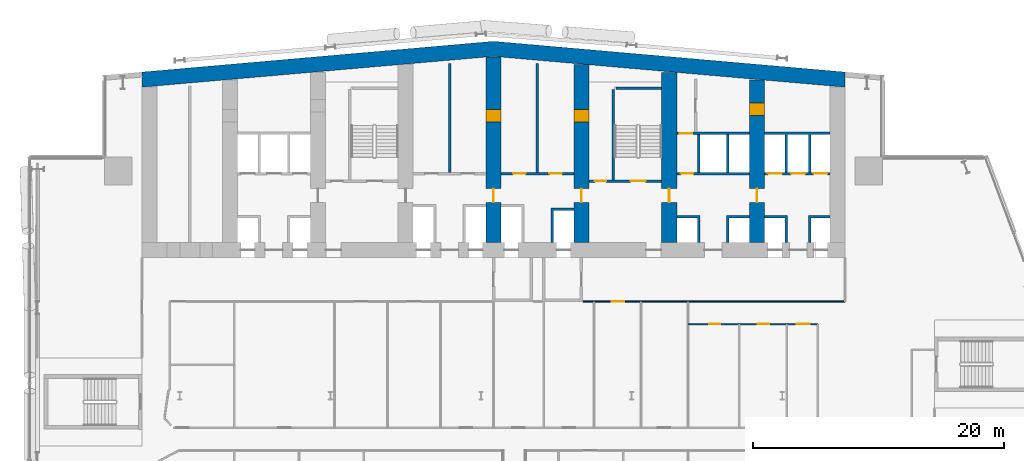
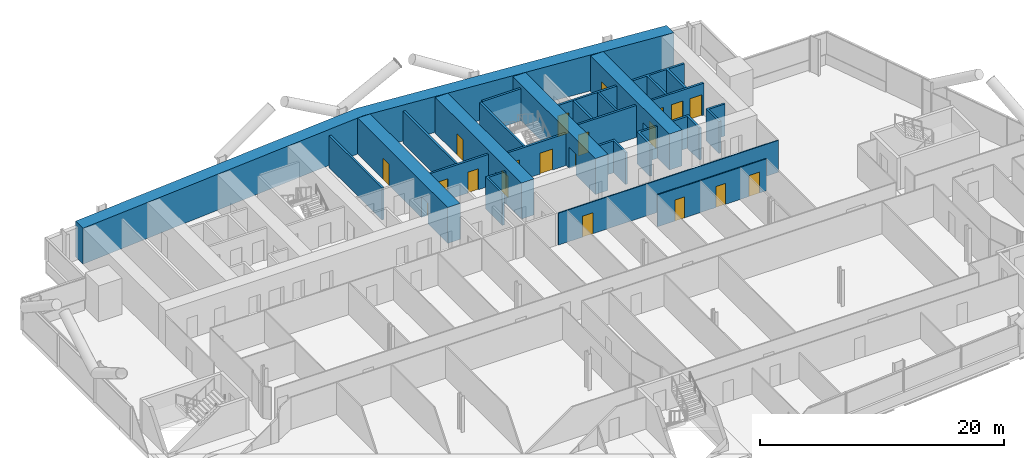
# One storey, part 18 of 28: 24 walls, 20 doors, 20 openings.
"""IFC4 building model written with IfcOpenShell, lengths in metres."""

from ifc_helpers import new_model, si_unit, direction, frame, frame_2d, origin, place, context, subcontext, project, spatial, polyline, rectangle, outline, extrude, material, layer, layer_set, type_object, element, fill, save


model = new_model("IFC4")

# Units and contexts
model_context = context("Model", 3, precision=1e-05, world=origin(), true_north=direction((0.0, 1.0)))
body_context = subcontext(model_context, "Body", "Model", "MODEL_VIEW")
ifc_project = project(units=[si_unit("LENGTHUNIT", "METRE"), si_unit("AREAUNIT", "SQUARE_METRE"), si_unit("VOLUMEUNIT", "CUBIC_METRE"), si_unit("PLANEANGLEUNIT", "RADIAN"), si_unit("MASSUNIT", "GRAM", prefix="KILO")], contexts=[model_context])

# Site, building, storey
site_placement = place(None, origin())
site = spatial("IfcSite", under=ifc_project, at=site_placement, CompositionType="ELEMENT")
building_placement = place(site_placement, origin())
building = spatial("IfcBuilding", under=site, at=building_placement, Name="Wharfspan Tower", CompositionType="ELEMENT")
storey_placement = place(building_placement, frame((0.0, 0.0, 59.5)))
storey = spatial("IfcBuildingStorey", under=building, at=storey_placement, Name="L11", CompositionType="ELEMENT", Elevation=59.5)

# Wall, opening, door
ifc_material_1 = material(Name="Gypsum board on steel studs", Category="steel")
ifc_layer_1 = layer(ifc_material_1, 0.100098)
ifc_layer_set_1 = layer_set([ifc_layer_1], Name="Gypsum board on steel studs")
wall_type_1 = type_object("IfcWallType", Name="Compartment wall 100 EI 60", PredefinedType="PARTITIONING", material=ifc_layer_set_1)
wall_1_placement = place(storey_placement, frame((44.149902, 30.5, 0.0), z_axis=(0.0, 0.0, 1.0), x_axis=(1.0, 0.0, 0.0)))
wall_1 = element("IfcWall", 1, at=wall_1_placement, inside=storey, type_object=wall_type_1, Name="Partition L11.w015 (3)", PredefinedType="PARTITIONING", context=body_context, shape_type="SweptSolid", body=[
    extrude(rectangle(XDim=20.850098, YDim=0.100098, at=frame_2d((10.425049, 0.0))), origin(), (0.0, 0.0, 1.0), 3.199951),
])
opening_1_placement = place(wall_1_placement, frame((2.27002, 0.0, 0.0)))
opening_1 = element("IfcOpeningElement", 2, at=opening_1_placement, cuts=wall_1, Name="Opening A2-39", PredefinedType="OPENING", context=body_context, shape_type="SweptSolid", body=[
    extrude(rectangle(XDim=1.0, YDim=2.100098, at=frame_2d((0.5, 1.050049))), frame((0.0, 0.060059, 0.0), z_axis=(0.0, -1.0, 0.0), x_axis=(1.0, 0.0, 0.0)), (0.0, 0.0, 1.0), 0.120117),
])
ifc_material_2 = material(Name="Fire-rated timber door leaf in steel frame", Category="steel")
door_type_1 = type_object("IfcDoorType", Name="Door 1000 FD30S Right", OperationType="SINGLE_SWING_RIGHT", PredefinedType="DOOR", material=ifc_material_2)
door_1_placement = place(opening_1_placement, origin())
door_1 = element("IfcDoor", 3, at=door_1_placement, inside=storey, type_object=door_type_1, Name="Door A2-39", OperationType="SINGLE_SWING_RIGHT", OverallHeight=2.100098, OverallWidth=1.0, PredefinedType="DOOR", context=body_context, shape_type="SweptSolid", body=[
    extrude(rectangle(XDim=1.0, YDim=2.100098, at=frame_2d((0.5, 1.050049))), frame((0.0, 0.024902, 0.0), z_axis=(0.0, -1.0, 0.0), x_axis=(1.0, 0.0, 0.0)), (0.0, 0.0, 1.0), 0.050049),
])
fill(opening_1, door_1)

# Walls
ifc_material_3 = material(Name="Calcium silicate masonry", Category="masonry")
ifc_layer_2 = layer(ifc_material_3, 0.199951)
ifc_layer_set_2 = layer_set([ifc_layer_2], Name="Calcium silicate masonry")
wall_type_2 = type_object("IfcWallType", Name="Core room wall 200", PredefinedType="PARTITIONING", material=ifc_layer_set_2)
for number, where, z_axis, x_axis, name in (
    (4, (33.5, 40.800049, 0.0), (0.0, 0.0, 1.0), (0.0, 1.0, 0.0), "sw:L11:RP3.1"),
    (5, (40.5, 40.800049, 0.0), (0.0, 0.0, 1.0), (0.0, 1.0, 0.0), "sw:L11:RP4.1"),
):
    element("IfcWall", number, at=place(storey_placement, frame(where, z_axis=z_axis, x_axis=x_axis)), inside=storey, type_object=wall_type_2, Name=name, PredefinedType="PARTITIONING", context=body_context, shape_type="SweptSolid", body=[
        extrude(rectangle(XDim=8.652588, YDim=0.199951, at=frame_2d((4.326172, 0.0))), origin(), (0.0, 0.0, 1.0), 3.199951),
    ])
ifc_material_4 = material(Name="Concrete C70/85", Category="concrete")
ifc_layer_3 = layer(ifc_material_4, 1.199951)
ifc_layer_set_3 = layer_set([ifc_layer_3], Name="Concrete C70/85")
wall_type_3 = type_object("IfcWallType", Name="Core wall 1200 C70/85", PredefinedType="SHEAR", material=ifc_layer_set_3)
wall_2_placement = place(storey_placement, origin())
element("IfcWall", 6, at=wall_2_placement, inside=storey, type_object=wall_type_3, Name="Core rear wall L11", PredefinedType="SHEAR", context=body_context, shape_type="SweptSolid", body=[
    extrude(outline(polyline([(9.0, 47.582764), (37.0, 50.032471), (65.0, 47.582764), (65.0, 48.787354), (37.0, 51.237061), (9.0, 48.787354), (9.0, 47.582764)])), origin(), (0.0, 0.0, 1.0), 3.600098),
])

# Wall, openings, doors
wall_3_placement = place(storey_placement, frame((37.0, 35.199951, 0.0), z_axis=(0.0, 0.0, 1.0), x_axis=(0.0, 1.0, 0.0)))
wall_3 = element("IfcWall", 7, at=wall_3_placement, inside=storey, type_object=wall_type_3, Name="Core cross wall X4 L11", PredefinedType="SHEAR", context=body_context, shape_type="SweptSolid", body=[
    extrude(rectangle(XDim=14.780029, YDim=1.199951, at=frame_2d((7.390137, 0.0))), origin(), (0.0, 0.0, 1.0), 3.600098),
])
opening_2_placement = place(wall_3_placement, frame((3.199951, 0.0, 0.0)))
opening_2 = element("IfcOpeningElement", 8, at=opening_2_placement, cuts=wall_3, Name="Opening CC11.4", PredefinedType="OPENING", context=body_context, shape_type="SweptSolid", body=[
    extrude(rectangle(XDim=1.100098, YDim=2.100098, at=frame_2d((0.550049, 1.050049))), frame((0.0, 0.609863, 0.0), z_axis=(0.0, -1.0, 0.0), x_axis=(1.0, 0.0, 0.0)), (0.0, 0.0, 1.0), 1.219971),
])
opening_3_placement = place(wall_3_placement, frame((9.600098, 0.0, 0.0)))
opening_3 = element("IfcOpeningElement", 9, at=opening_3_placement, cuts=wall_3, Name="Opening CR11.4", PredefinedType="OPENING", context=body_context, shape_type="SweptSolid", body=[
    extrude(rectangle(XDim=1.0, YDim=2.100098, at=frame_2d((0.5, 1.050049))), frame((0.0, 0.609863, 0.0), z_axis=(0.0, -1.0, 0.0), x_axis=(1.0, 0.0, 0.0)), (0.0, 0.0, 1.0), 1.219971),
])
ifc_material_5 = material(Name="Steel door leaf", Category="steel")
door_type_2 = type_object("IfcDoorType", Name="Core corridor door 1100x2100", OperationType="SINGLE_SWING_LEFT", PredefinedType="DOOR", material=ifc_material_5)
door_2_placement = place(opening_2_placement, origin())
door_2 = element("IfcDoor", 10, at=door_2_placement, inside=storey, type_object=door_type_2, Name="xd:L11:4", OperationType="SINGLE_SWING_RIGHT", OverallHeight=2.100098, OverallWidth=1.100098, PredefinedType="DOOR", context=body_context, shape_type="SweptSolid", body=[
    extrude(rectangle(XDim=1.100098, YDim=2.100098, at=frame_2d((0.550049, 1.050049))), frame((0.0, 0.024902, 0.0), z_axis=(0.0, -1.0, 0.0), x_axis=(1.0, 0.0, 0.0)), (0.0, 0.0, 1.0), 0.050049),
])
fill(opening_2, door_2)
door_type_3 = type_object("IfcDoorType", Name="Core room door 1000x2100", OperationType="SINGLE_SWING_LEFT", PredefinedType="DOOR", material=ifc_material_5)
door_3_placement = place(opening_3_placement, origin())
door_3 = element("IfcDoor", 11, at=door_3_placement, inside=storey, type_object=door_type_3, Name="xr:L11:4", OperationType="SINGLE_SWING_RIGHT", OverallHeight=2.100098, OverallWidth=1.0, PredefinedType="DOOR", context=body_context, shape_type="SweptSolid", body=[
    extrude(rectangle(XDim=1.0, YDim=2.100098, at=frame_2d((0.5, 1.050049))), frame((0.0, 0.599609, 0.0), z_axis=(0.0, -1.0, 0.0), x_axis=(1.0, 0.0, 0.0)), (0.0, 0.0, 1.0), 1.199463),
])
fill(opening_3, door_3)

wall_4_placement = place(storey_placement, frame((44.0, 35.199951, 0.0), z_axis=(0.0, 0.0, 1.0), x_axis=(0.0, 1.0, 0.0)))
wall_4 = element("IfcWall", 12, at=wall_4_placement, inside=storey, type_object=wall_type_3, Name="Core cross wall X5 L11", PredefinedType="SHEAR", context=body_context, shape_type="SweptSolid", body=[
    extrude(rectangle(XDim=14.167725, YDim=1.199951, at=frame_2d((7.083984, 0.0))), origin(), (0.0, 0.0, 1.0), 3.600098),
])
opening_4_placement = place(wall_4_placement, frame((3.199951, 0.0, 0.0)))
opening_4 = element("IfcOpeningElement", 13, at=opening_4_placement, cuts=wall_4, Name="Opening CC11.5", PredefinedType="OPENING", context=body_context, shape_type="SweptSolid", body=[
    extrude(rectangle(XDim=1.100098, YDim=2.100098, at=frame_2d((0.550049, 1.050049))), frame((0.0, 0.609863, 0.0), z_axis=(0.0, -1.0, 0.0), x_axis=(1.0, 0.0, 0.0)), (0.0, 0.0, 1.0), 1.219971),
])
opening_5_placement = place(wall_4_placement, frame((9.600098, 0.0, 0.0)))
opening_5 = element("IfcOpeningElement", 14, at=opening_5_placement, cuts=wall_4, Name="Opening CR11.5", PredefinedType="OPENING", context=body_context, shape_type="SweptSolid", body=[
    extrude(rectangle(XDim=1.0, YDim=2.100098, at=frame_2d((0.5, 1.050049))), frame((0.0, 0.609863, 0.0), z_axis=(0.0, -1.0, 0.0), x_axis=(1.0, 0.0, 0.0)), (0.0, 0.0, 1.0), 1.219971),
])
door_4_placement = place(opening_4_placement, origin())
door_4 = element("IfcDoor", 15, at=door_4_placement, inside=storey, type_object=door_type_2, Name="xd:L11:5", OperationType="SINGLE_SWING_LEFT", OverallHeight=2.100098, OverallWidth=1.100098, PredefinedType="DOOR", context=body_context, shape_type="SweptSolid", body=[
    extrude(rectangle(XDim=1.100098, YDim=2.100098, at=frame_2d((0.550049, 1.050049))), frame((0.0, 0.024902, 0.0), z_axis=(0.0, -1.0, 0.0), x_axis=(1.0, 0.0, 0.0)), (0.0, 0.0, 1.0), 0.050049),
])
fill(opening_4, door_4)
door_5_placement = place(opening_5_placement, origin())
door_5 = element("IfcDoor", 16, at=door_5_placement, inside=storey, type_object=door_type_3, Name="xr:L11:5", OperationType="SINGLE_SWING_RIGHT", OverallHeight=2.100098, OverallWidth=1.0, PredefinedType="DOOR", context=body_context, shape_type="SweptSolid", body=[
    extrude(rectangle(XDim=1.0, YDim=2.100098, at=frame_2d((0.5, 1.050049))), frame((0.0, 0.599609, 0.0), z_axis=(0.0, -1.0, 0.0), x_axis=(1.0, 0.0, 0.0)), (0.0, 0.0, 1.0), 1.199463),
])
fill(opening_5, door_5)

# Wall, opening, door
wall_5_placement = place(storey_placement, frame((51.0, 35.199951, 0.0), z_axis=(0.0, 0.0, 1.0), x_axis=(0.0, 1.0, 0.0)))
wall_5 = element("IfcWall", 17, at=wall_5_placement, inside=storey, type_object=wall_type_3, Name="Core cross wall X6 L11", PredefinedType="SHEAR", context=body_context, shape_type="SweptSolid", body=[
    extrude(rectangle(XDim=13.555176, YDim=1.199951, at=frame_2d((6.777588, 0.0))), origin(), (0.0, 0.0, 1.0), 3.600098),
])
opening_6_placement = place(wall_5_placement, frame((3.199951, 0.0, 0.0)))
opening_6 = element("IfcOpeningElement", 18, at=opening_6_placement, cuts=wall_5, Name="Opening CC11.6", PredefinedType="OPENING", context=body_context, shape_type="SweptSolid", body=[
    extrude(rectangle(XDim=1.100098, YDim=2.100098, at=frame_2d((0.550049, 1.050049))), frame((0.0, 0.609863, 0.0), z_axis=(0.0, -1.0, 0.0), x_axis=(1.0, 0.0, 0.0)), (0.0, 0.0, 1.0), 1.219971),
])
door_6_placement = place(opening_6_placement, origin())
door_6 = element("IfcDoor", 19, at=door_6_placement, inside=storey, type_object=door_type_2, Name="xd:L11:6", OperationType="SINGLE_SWING_RIGHT", OverallHeight=2.100098, OverallWidth=1.100098, PredefinedType="DOOR", context=body_context, shape_type="SweptSolid", body=[
    extrude(rectangle(XDim=1.100098, YDim=2.100098, at=frame_2d((0.550049, 1.050049))), frame((0.0, 0.024902, 0.0), z_axis=(0.0, -1.0, 0.0), x_axis=(1.0, 0.0, 0.0)), (0.0, 0.0, 1.0), 0.050049),
])
fill(opening_6, door_6)

# Wall, openings, doors
wall_6_placement = place(storey_placement, frame((58.0, 35.199951, 0.0), z_axis=(0.0, 0.0, 1.0), x_axis=(0.0, 1.0, 0.0)))
wall_6 = element("IfcWall", 20, at=wall_6_placement, inside=storey, type_object=wall_type_3, Name="Core cross wall X7 L11", PredefinedType="SHEAR", context=body_context, shape_type="SweptSolid", body=[
    extrude(rectangle(XDim=12.942871, YDim=1.199951, at=frame_2d((6.471436, 0.0))), origin(), (0.0, 0.0, 1.0), 3.600098),
])
opening_7_placement = place(wall_6_placement, frame((10.133789, 0.0, 0.0)))
opening_7 = element("IfcOpeningElement", 21, at=opening_7_placement, cuts=wall_6, Name="Opening CD11.7X", PredefinedType="OPENING", context=body_context, shape_type="SweptSolid", body=[
    extrude(rectangle(XDim=1.0, YDim=2.100098, at=frame_2d((0.5, 1.050049))), frame((0.0, 0.609863, 0.0), z_axis=(0.0, -1.0, 0.0), x_axis=(1.0, 0.0, 0.0)), (0.0, 0.0, 1.0), 1.219971),
])
opening_8_placement = place(wall_6_placement, frame((3.199951, 0.0, 0.0)))
opening_8 = element("IfcOpeningElement", 22, at=opening_8_placement, cuts=wall_6, Name="Opening CC11.7", PredefinedType="OPENING", context=body_context, shape_type="SweptSolid", body=[
    extrude(rectangle(XDim=1.100098, YDim=2.100098, at=frame_2d((0.550049, 1.050049))), frame((0.0, 0.609863, 0.0), z_axis=(0.0, -1.0, 0.0), x_axis=(1.0, 0.0, 0.0)), (0.0, 0.0, 1.0), 1.219971),
])
door_7_placement = place(opening_8_placement, origin())
door_7 = element("IfcDoor", 23, at=door_7_placement, inside=storey, type_object=door_type_2, Name="xd:L11:7", OperationType="SINGLE_SWING_LEFT", OverallHeight=2.100098, OverallWidth=1.100098, PredefinedType="DOOR", context=body_context, shape_type="SweptSolid", body=[
    extrude(rectangle(XDim=1.100098, YDim=2.100098, at=frame_2d((0.550049, 1.050049))), frame((0.0, 0.024902, 0.0), z_axis=(0.0, -1.0, 0.0), x_axis=(1.0, 0.0, 0.0)), (0.0, 0.0, 1.0), 0.050049),
])
fill(opening_8, door_7)
door_8_placement = place(opening_7_placement, origin())
door_8 = element("IfcDoor", 24, at=door_8_placement, inside=storey, type_object=door_type_3, Name="d:L11:7:sx", OperationType="SINGLE_SWING_LEFT", OverallHeight=2.100098, OverallWidth=1.0, PredefinedType="DOOR", context=body_context, shape_type="SweptSolid", body=[
    extrude(rectangle(XDim=1.0, YDim=2.100098, at=frame_2d((0.5, 1.050049))), frame((0.0, 0.599609, 0.0), z_axis=(0.0, -1.0, 0.0), x_axis=(1.0, 0.0, 0.0)), (0.0, 0.0, 1.0), 1.199463),
])
fill(opening_7, door_8)

ifc_material_6 = material(Name="Concrete C30/37", Category="concrete")
ifc_layer_4 = layer(ifc_material_6, 0.199951)
ifc_layer_set_4 = layer_set([ifc_layer_4], Name="Concrete C30/37")
wall_type_4 = type_object("IfcWallType", Name="Lift shaft wall 200", PredefinedType="PARTITIONING", material=ifc_layer_set_4)
wall_7_placement = place(storey_placement, frame((37.600098, 40.699951, 0.0), z_axis=(0.0, 0.0, 1.0), x_axis=(1.0, 0.0, 0.0)))
wall_7 = element("IfcWall", 25, at=wall_7_placement, inside=storey, type_object=wall_type_4, Name="sw:L11:RF4", PredefinedType="PARTITIONING", context=body_context, shape_type="SweptSolid", body=[
    extrude(rectangle(XDim=5.799805, YDim=0.199951, at=frame_2d((2.899902, 0.0))), origin(), (0.0, 0.0, 1.0), 3.199951),
])
opening_9_placement = place(wall_7_placement, frame((0.949951, 0.0, 0.0)))
opening_9 = element("IfcOpeningElement", 26, at=opening_9_placement, cuts=wall_7, Name="Opening CD11.4S", PredefinedType="OPENING", context=body_context, shape_type="SweptSolid", body=[
    extrude(rectangle(XDim=1.0, YDim=2.100098, at=frame_2d((0.5, 1.050049))), frame((0.0, 0.109863, 0.0), z_axis=(0.0, -1.0, 0.0), x_axis=(1.0, 0.0, 0.0)), (0.0, 0.0, 1.0), 0.219971),
])
opening_10_placement = place(wall_7_placement, frame((3.850098, 0.0, 0.0)))
opening_10 = element("IfcOpeningElement", 27, at=opening_10_placement, cuts=wall_7, Name="Opening CD11.4Sa", PredefinedType="OPENING", context=body_context, shape_type="SweptSolid", body=[
    extrude(rectangle(XDim=1.0, YDim=2.100098, at=frame_2d((0.5, 1.050049))), frame((0.0, 0.109863, 0.0), z_axis=(0.0, -1.0, 0.0), x_axis=(1.0, 0.0, 0.0)), (0.0, 0.0, 1.0), 0.219971),
])
door_9_placement = place(opening_9_placement, origin())
door_9 = element("IfcDoor", 28, at=door_9_placement, inside=storey, type_object=door_type_3, Name="d:L11:4:sf", OperationType="SINGLE_SWING_LEFT", OverallHeight=2.100098, OverallWidth=1.0, PredefinedType="DOOR", context=body_context, shape_type="SweptSolid", body=[
    extrude(rectangle(XDim=1.0, YDim=2.100098, at=frame_2d((0.5, 1.050049))), frame((0.0, 0.024902, 0.0), z_axis=(0.0, -1.0, 0.0), x_axis=(1.0, 0.0, 0.0)), (0.0, 0.0, 1.0), 0.050049),
])
fill(opening_9, door_9)
door_10_placement = place(opening_10_placement, origin())
door_10 = element("IfcDoor", 29, at=door_10_placement, inside=storey, type_object=door_type_3, Name="d:L11:4:sf1", OperationType="SINGLE_SWING_LEFT", OverallHeight=2.100098, OverallWidth=1.0, PredefinedType="DOOR", context=body_context, shape_type="SweptSolid", body=[
    extrude(rectangle(XDim=1.0, YDim=2.100098, at=frame_2d((0.5, 1.050049))), frame((0.0, 0.024902, 0.0), z_axis=(0.0, -1.0, 0.0), x_axis=(1.0, 0.0, 0.0)), (0.0, 0.0, 1.0), 0.050049),
])
fill(opening_10, door_10)

# Wall
wall_8_placement = place(storey_placement, frame((0.0, 0.0, -0.000244)))
element("IfcWall", 30, at=wall_8_placement, inside=storey, type_object=wall_type_4, Name="sw:L11:FM4.0", PredefinedType="PARTITIONING", context=body_context, shape_type="SweptSolid", body=[
    extrude(outline(polyline([(41.56665, 37.949951), (41.766602, 37.949951), (43.399902, 37.949951), (43.399902, 37.75), (41.766602, 37.75), (41.766602, 35.199951), (41.56665, 35.199951), (41.56665, 37.949951)])), origin(), (0.0, 0.0, 1.0), 3.200195),
])

# Wall, opening, door
wall_9_placement = place(storey_placement, frame((51.600098, 40.699951, 0.0), z_axis=(0.0, 0.0, 1.0), x_axis=(1.0, 0.0, 0.0)))
wall_9 = element("IfcWall", 31, at=wall_9_placement, inside=storey, type_object=wall_type_4, Name="sw:L11:RF6", PredefinedType="PARTITIONING", context=body_context, shape_type="SweptSolid", body=[
    extrude(rectangle(XDim=5.799805, YDim=0.199951, at=frame_2d((2.899902, 0.0))), origin(), (0.0, 0.0, 1.0), 3.199951),
])
opening_11_placement = place(wall_9_placement, frame((0.31665, 0.0, 0.0)))
opening_11 = element("IfcOpeningElement", 32, at=opening_11_placement, cuts=wall_9, Name="Opening CD11.6R1", PredefinedType="OPENING", context=body_context, shape_type="SweptSolid", body=[
    extrude(rectangle(XDim=1.0, YDim=2.100098, at=frame_2d((0.5, 1.050049))), frame((0.0, 0.109863, 0.0), z_axis=(0.0, -1.0, 0.0), x_axis=(1.0, 0.0, 0.0)), (0.0, 0.0, 1.0), 0.219971),
])
door_11_placement = place(opening_11_placement, origin())
door_11 = element("IfcDoor", 33, at=door_11_placement, inside=storey, type_object=door_type_3, Name="d:L11:6:rd6.1", OperationType="SINGLE_SWING_RIGHT", OverallHeight=2.100098, OverallWidth=1.0, PredefinedType="DOOR", context=body_context, shape_type="SweptSolid", body=[
    extrude(rectangle(XDim=1.0, YDim=2.100098, at=frame_2d((0.5, 1.050049))), frame((0.0, 0.024902, 0.0), z_axis=(0.0, -1.0, 0.0), x_axis=(1.0, 0.0, 0.0)), (0.0, 0.0, 1.0), 0.050049),
])
fill(opening_11, door_11)

wall_10_placement = place(storey_placement, frame((51.600098, 43.899902, 0.0), z_axis=(0.0, 0.0, 1.0), x_axis=(1.0, 0.0, 0.0)))
wall_10 = element("IfcWall", 34, at=wall_10_placement, inside=storey, type_object=wall_type_4, Name="sw:L11:RR6", PredefinedType="PARTITIONING", context=body_context, shape_type="SweptSolid", body=[
    extrude(rectangle(XDim=5.799805, YDim=0.199951, at=frame_2d((2.899902, 0.0))), origin(), (0.0, 0.0, 1.0), 3.199951),
])
opening_12_placement = place(wall_10_placement, frame((0.25, 0.0, 0.0)))
opening_12 = element("IfcOpeningElement", 35, at=opening_12_placement, cuts=wall_10, Name="Opening CD11.6S1", PredefinedType="OPENING", context=body_context, shape_type="SweptSolid", body=[
    extrude(rectangle(XDim=1.0, YDim=2.100098, at=frame_2d((0.5, 1.050049))), frame((0.0, 0.109863, 0.0), z_axis=(0.0, -1.0, 0.0), x_axis=(1.0, 0.0, 0.0)), (0.0, 0.0, 1.0), 0.219971),
])
door_12_placement = place(opening_12_placement, origin())
door_12 = element("IfcDoor", 36, at=door_12_placement, inside=storey, type_object=door_type_3, Name="d:L11:6:rs6.1", OperationType="SINGLE_SWING_LEFT", OverallHeight=2.100098, OverallWidth=1.0, PredefinedType="DOOR", context=body_context, shape_type="SweptSolid", body=[
    extrude(rectangle(XDim=1.0, YDim=2.100098, at=frame_2d((0.5, 1.050049))), frame((0.0, 0.024902, 0.0), z_axis=(0.0, -1.0, 0.0), x_axis=(1.0, 0.0, 0.0)), (0.0, 0.0, 1.0), 0.050049),
])
fill(opening_12, door_12)

# Walls
wall_11_placement = place(storey_placement, frame((0.0, 0.0, -0.000244)))
element("IfcWall", 37, at=wall_11_placement, inside=storey, type_object=wall_type_4, Name="sw:L11:FM6.0", PredefinedType="PARTITIONING", context=body_context, shape_type="SweptSolid", body=[
    extrude(outline(polyline([(53.233398, 37.149902), (51.600098, 37.149902), (51.600098, 37.350098), (53.233398, 37.350098), (53.43335, 37.350098), (53.43335, 35.199951), (53.233398, 35.199951), (53.233398, 37.149902)])), origin(), (0.0, 0.0, 1.0), 3.200195),
])
wall_12_placement = place(storey_placement, frame((0.0, 0.0, -0.000244)))
element("IfcWall", 38, at=wall_12_placement, inside=storey, type_object=wall_type_4, Name="sw:L11:FM6.1", PredefinedType="PARTITIONING", context=body_context, shape_type="SweptSolid", body=[
    extrude(outline(polyline([(55.56665, 37.350098), (55.766602, 37.350098), (57.399902, 37.350098), (57.399902, 37.149902), (55.766602, 37.149902), (55.766602, 35.199951), (55.56665, 35.199951), (55.56665, 37.350098)])), origin(), (0.0, 0.0, 1.0), 3.200195),
])
wall_13_placement = place(storey_placement, frame((0.0, 0.0, -0.000244)))
element("IfcWall", 39, at=wall_13_placement, inside=storey, type_object=wall_type_4, Name="sw:L11:RM6.0", PredefinedType="PARTITIONING", context=body_context, shape_type="SweptSolid", body=[
    extrude(outline(polyline([(53.233398, 40.800049), (53.233398, 43.800049), (53.43335, 43.800049), (53.43335, 40.800049), (53.233398, 40.800049)])), origin(), (0.0, 0.0, 1.0), 3.200195),
])
wall_14_placement = place(storey_placement, frame((0.0, 0.0, -0.000244)))
element("IfcWall", 40, at=wall_14_placement, inside=storey, type_object=wall_type_4, Name="sw:L11:RM6.1", PredefinedType="PARTITIONING", context=body_context, shape_type="SweptSolid", body=[
    extrude(outline(polyline([(55.56665, 40.800049), (55.56665, 43.800049), (55.766602, 43.800049), (55.766602, 40.800049), (55.56665, 40.800049)])), origin(), (0.0, 0.0, 1.0), 3.200195),
])

# Wall, openings, doors
wall_15_placement = place(storey_placement, frame((58.600098, 40.699951, 0.0), z_axis=(0.0, 0.0, 1.0), x_axis=(1.0, 0.0, 0.0)))
wall_15 = element("IfcWall", 41, at=wall_15_placement, inside=storey, type_object=wall_type_4, Name="sw:L11:RF7", PredefinedType="PARTITIONING", context=body_context, shape_type="SweptSolid", body=[
    extrude(rectangle(XDim=5.199951, YDim=0.199951, at=frame_2d((2.600098, 0.0))), origin(), (0.0, 0.0, 1.0), 3.199951),
])
opening_13_placement = place(wall_15_placement, frame((0.266602, 0.0, 0.0)))
opening_13 = element("IfcOpeningElement", 42, at=opening_13_placement, cuts=wall_15, Name="Opening LD.LA8.L11", PredefinedType="OPENING", context=body_context, shape_type="SweptSolid", body=[
    extrude(rectangle(XDim=1.100098, YDim=2.100098, at=frame_2d((0.550049, 1.050049))), frame((0.0, 0.109863, 0.0), z_axis=(0.0, -1.0, 0.0), x_axis=(1.0, 0.0, 0.0)), (0.0, 0.0, 1.0), 0.219971),
])
opening_14_placement = place(wall_15_placement, frame((2.116699, 0.0, 0.0)))
opening_14 = element("IfcOpeningElement", 43, at=opening_14_placement, cuts=wall_15, Name="Opening LD.LA9.L11", PredefinedType="OPENING", context=body_context, shape_type="SweptSolid", body=[
    extrude(rectangle(XDim=1.100098, YDim=2.100098, at=frame_2d((0.550049, 1.050049))), frame((0.0, 0.109863, 0.0), z_axis=(0.0, -1.0, 0.0), x_axis=(1.0, 0.0, 0.0)), (0.0, 0.0, 1.0), 0.219971),
])
opening_15_placement = place(wall_15_placement, frame((3.899902, 0.0, 0.0)))
opening_15 = element("IfcOpeningElement", 44, at=opening_15_placement, cuts=wall_15, Name="Opening LD.LA10.L11", PredefinedType="OPENING", context=body_context, shape_type="SweptSolid", body=[
    extrude(rectangle(XDim=1.100098, YDim=2.100098, at=frame_2d((0.550049, 1.050049))), frame((0.0, 0.109863, 0.0), z_axis=(0.0, -1.0, 0.0), x_axis=(1.0, 0.0, 0.0)), (0.0, 0.0, 1.0), 0.219971),
])
ifc_material_7 = material(Name="Stainless steel", Category="steel")
door_type_4 = type_object("IfcDoorType", Name="Lift landing door 1100x2100", OperationType="DOUBLE_DOOR_SLIDING", PredefinedType="DOOR", material=ifc_material_7)
door_13_placement = place(opening_13_placement, origin())
door_13 = element("IfcDoor", 45, at=door_13_placement, inside=storey, type_object=door_type_4, Name="Landing door LA8 L11", OperationType="DOUBLE_DOOR_SLIDING", OverallHeight=2.100098, OverallWidth=1.100098, PredefinedType="DOOR", context=body_context, shape_type="SweptSolid", body=[
    extrude(rectangle(XDim=1.100098, YDim=2.100098, at=frame_2d((0.550049, 1.050049))), frame((0.0, 0.024902, 0.0), z_axis=(0.0, -1.0, 0.0), x_axis=(1.0, 0.0, 0.0)), (0.0, 0.0, 1.0), 0.050049),
])
fill(opening_13, door_13)
door_14_placement = place(opening_14_placement, origin())
door_14 = element("IfcDoor", 46, at=door_14_placement, inside=storey, type_object=door_type_4, Name="Landing door LA9 L11", OperationType="DOUBLE_DOOR_SLIDING", OverallHeight=2.100098, OverallWidth=1.100098, PredefinedType="DOOR", context=body_context, shape_type="SweptSolid", body=[
    extrude(rectangle(XDim=1.100098, YDim=2.100098, at=frame_2d((0.550049, 1.050049))), frame((0.0, 0.024902, 0.0), z_axis=(0.0, -1.0, 0.0), x_axis=(1.0, 0.0, 0.0)), (0.0, 0.0, 1.0), 0.050049),
])
fill(opening_14, door_14)
door_15_placement = place(opening_15_placement, origin())
door_15 = element("IfcDoor", 47, at=door_15_placement, inside=storey, type_object=door_type_4, Name="Landing door LA10 L11", OperationType="DOUBLE_DOOR_SLIDING", OverallHeight=2.100098, OverallWidth=1.100098, PredefinedType="DOOR", context=body_context, shape_type="SweptSolid", body=[
    extrude(rectangle(XDim=1.100098, YDim=2.100098, at=frame_2d((0.550049, 1.050049))), frame((0.0, 0.024902, 0.0), z_axis=(0.0, -1.0, 0.0), x_axis=(1.0, 0.0, 0.0)), (0.0, 0.0, 1.0), 0.050049),
])
fill(opening_15, door_15)

# Walls
wall_16_placement = place(storey_placement, frame((0.0, 0.0, -0.000244)))
element("IfcWall", 48, at=wall_16_placement, inside=storey, type_object=wall_type_4, Name="sw:L11:FM7.0", PredefinedType="PARTITIONING", context=body_context, shape_type="SweptSolid", body=[
    extrude(outline(polyline([(60.233398, 37.149902), (58.600098, 37.149902), (58.600098, 37.350098), (60.233398, 37.350098), (60.43335, 37.350098), (60.43335, 35.199951), (60.233398, 35.199951), (60.233398, 37.149902)])), origin(), (0.0, 0.0, 1.0), 3.200195),
])
wall_17_placement = place(storey_placement, frame((0.0, 0.0, -0.000244)))
element("IfcWall", 49, at=wall_17_placement, inside=storey, type_object=wall_type_4, Name="sw:L11:FM7.1", PredefinedType="PARTITIONING", context=body_context, shape_type="SweptSolid", body=[
    extrude(outline(polyline([(62.100098, 37.350098), (62.300049, 37.350098), (63.800049, 37.350098), (63.800049, 37.149902), (62.300049, 37.149902), (62.300049, 35.199951), (62.100098, 35.199951), (62.100098, 37.350098)])), origin(), (0.0, 0.0, 1.0), 3.200195),
])
wall_18_placement = place(storey_placement, frame((0.0, 0.0, -0.000244)))
element("IfcWall", 50, at=wall_18_placement, inside=storey, type_object=wall_type_4, Name="sw:L11:RM7.0", PredefinedType="PARTITIONING", context=body_context, shape_type="SweptSolid", body=[
    extrude(outline(polyline([(60.43335, 40.800049), (60.233398, 40.800049), (60.233398, 43.800049), (58.600098, 43.800049), (58.600098, 44.0), (63.800049, 44.0), (63.800049, 43.800049), (62.300049, 43.800049), (62.300049, 40.800049), (62.100098, 40.800049), (62.100098, 43.800049), (60.43335, 43.800049), (60.43335, 40.800049)])), origin(), (0.0, 0.0, 1.0), 3.200195),
])

# Wall, openings, doors
ifc_layer_5 = layer(ifc_material_1, 0.100098)
ifc_layer_set_5 = layer_set([ifc_layer_5], Name="Gypsum board on steel studs")
wall_type_5 = type_object("IfcWallType", Name="Partition 100", PredefinedType="PARTITIONING", material=ifc_layer_set_5)
wall_19_placement = place(storey_placement, frame((52.5, 28.699951, 0.0), z_axis=(0.0, 0.0, 1.0), x_axis=(1.0, 0.0, 0.0)))
wall_19 = element("IfcWall", 51, at=wall_19_placement, inside=storey, type_object=wall_type_5, Name="Partition L11.w053", PredefinedType="PARTITIONING", context=body_context, shape_type="SweptSolid", body=[
    extrude(rectangle(XDim=10.334961, YDim=0.100098, at=frame_2d((5.16748, 0.0))), origin(), (0.0, 0.0, 1.0), 3.199951),
])
opening_16_placement = place(wall_19_placement, frame((1.669922, 0.0, 0.0)))
opening_16 = element("IfcOpeningElement", 52, at=opening_16_placement, cuts=wall_19, Name="Opening A2-32", PredefinedType="OPENING", context=body_context, shape_type="SweptSolid", body=[
    extrude(rectangle(XDim=0.899902, YDim=2.100098, at=frame_2d((0.449951, 1.050049))), frame((0.0, 0.060059, 0.0), z_axis=(0.0, -1.0, 0.0), x_axis=(1.0, 0.0, 0.0)), (0.0, 0.0, 1.0), 0.120117),
])
opening_17_placement = place(wall_19_placement, frame((5.554932, 0.0, 0.0)))
opening_17 = element("IfcOpeningElement", 53, at=opening_17_placement, cuts=wall_19, Name="Opening A2-33", PredefinedType="OPENING", context=body_context, shape_type="SweptSolid", body=[
    extrude(rectangle(XDim=0.899902, YDim=2.100098, at=frame_2d((0.449951, 1.050049))), frame((0.0, 0.060059, 0.0), z_axis=(0.0, -1.0, 0.0), x_axis=(1.0, 0.0, 0.0)), (0.0, 0.0, 1.0), 0.120117),
])
opening_18_placement = place(wall_19_placement, frame((8.675049, 0.0, 0.0)))
opening_18 = element("IfcOpeningElement", 54, at=opening_18_placement, cuts=wall_19, Name="Opening A2-34", PredefinedType="OPENING", context=body_context, shape_type="SweptSolid", body=[
    extrude(rectangle(XDim=1.0, YDim=2.100098, at=frame_2d((0.5, 1.050049))), frame((0.0, 0.060059, 0.0), z_axis=(0.0, -1.0, 0.0), x_axis=(1.0, 0.0, 0.0)), (0.0, 0.0, 1.0), 0.120117),
])
ifc_material_8 = material(Name="Timber door leaf in steel frame", Category="steel")
door_type_5 = type_object("IfcDoorType", Name="Door 1000 NOT RATED Right", OperationType="SINGLE_SWING_RIGHT", PredefinedType="DOOR", material=ifc_material_8)
door_16_placement = place(opening_18_placement, origin())
door_16 = element("IfcDoor", 55, at=door_16_placement, inside=storey, type_object=door_type_5, Name="Door A2-34", OperationType="SINGLE_SWING_RIGHT", OverallHeight=2.100098, OverallWidth=1.0, PredefinedType="DOOR", context=body_context, shape_type="SweptSolid", body=[
    extrude(rectangle(XDim=1.0, YDim=2.100098, at=frame_2d((0.5, 1.050049))), frame((0.0, 0.024902, 0.0), z_axis=(0.0, -1.0, 0.0), x_axis=(1.0, 0.0, 0.0)), (0.0, 0.0, 1.0), 0.050049),
])
fill(opening_18, door_16)
door_type_6 = type_object("IfcDoorType", Name="Door 900 NOT RATED Left", OperationType="SINGLE_SWING_LEFT", PredefinedType="DOOR", material=ifc_material_8)
door_17_placement = place(opening_16_placement, origin())
door_17 = element("IfcDoor", 56, at=door_17_placement, inside=storey, type_object=door_type_6, Name="Door A2-32", OperationType="SINGLE_SWING_LEFT", OverallHeight=2.100098, OverallWidth=0.899902, PredefinedType="DOOR", context=body_context, shape_type="SweptSolid", body=[
    extrude(rectangle(XDim=0.899902, YDim=2.100098, at=frame_2d((0.449951, 1.050049))), frame((0.0, 0.024902, 0.0), z_axis=(0.0, -1.0, 0.0), x_axis=(1.0, 0.0, 0.0)), (0.0, 0.0, 1.0), 0.050049),
])
fill(opening_16, door_17)
door_type_7 = type_object("IfcDoorType", Name="Door 900 NOT RATED Right", OperationType="SINGLE_SWING_RIGHT", PredefinedType="DOOR", material=ifc_material_8)
door_18_placement = place(opening_17_placement, origin())
door_18 = element("IfcDoor", 57, at=door_18_placement, inside=storey, type_object=door_type_7, Name="Door A2-33", OperationType="SINGLE_SWING_RIGHT", OverallHeight=2.100098, OverallWidth=0.899902, PredefinedType="DOOR", context=body_context, shape_type="SweptSolid", body=[
    extrude(rectangle(XDim=0.899902, YDim=2.100098, at=frame_2d((0.449951, 1.050049))), frame((0.0, 0.024902, 0.0), z_axis=(0.0, -1.0, 0.0), x_axis=(1.0, 0.0, 0.0)), (0.0, 0.0, 1.0), 0.050049),
])
fill(opening_17, door_18)

ifc_material_9 = material(Name="Concrete C40/50", Category="concrete")
ifc_layer_6 = layer(ifc_material_9, 0.199951)
ifc_layer_set_6 = layer_set([ifc_layer_6], Name="Concrete C40/50")
wall_type_6 = type_object("IfcWallType", Name="Stair shaft wall 200", PredefinedType="SHEAR", material=ifc_layer_set_6)
wall_20_placement = place(storey_placement, frame((44.600098, 40.100098, 0.0), z_axis=(0.0, 0.0, 1.0), x_axis=(1.0, 0.0, 0.0)))
wall_20 = element("IfcWall", 58, at=wall_20_placement, inside=storey, type_object=wall_type_6, Name="ST2 stair enclosure wall L11", PredefinedType="SHEAR", context=body_context, shape_type="SweptSolid", body=[
    extrude(rectangle(XDim=5.799805, YDim=0.199951, at=frame_2d((2.899902, 0.0))), origin(), (0.0, 0.0, 1.0), 3.199951),
])
opening_19_placement = place(wall_20_placement, frame((3.324951, 0.0, 0.0)))
opening_19 = element("IfcOpeningElement", 59, at=opening_19_placement, cuts=wall_20, Name="Opening SD5.L11", PredefinedType="OPENING", context=body_context, shape_type="SweptSolid", body=[
    extrude(rectangle(XDim=1.199951, YDim=2.100098, at=frame_2d((0.600098, 1.050049))), frame((0.0, 0.109863, 0.0), z_axis=(0.0, -1.0, 0.0), x_axis=(1.0, 0.0, 0.0)), (0.0, 0.0, 1.0), 0.219971),
])
opening_20_placement = place(wall_20_placement, frame((0.475098, 0.0, 0.0)))
opening_20 = element("IfcOpeningElement", 60, at=opening_20_placement, cuts=wall_20, Name="Opening CD11.5R", PredefinedType="OPENING", context=body_context, shape_type="SweptSolid", body=[
    extrude(rectangle(XDim=0.899902, YDim=2.100098, at=frame_2d((0.449951, 1.050049))), frame((0.0, 0.109863, 0.0), z_axis=(0.0, -1.0, 0.0), x_axis=(1.0, 0.0, 0.0)), (0.0, 0.0, 1.0), 0.219971),
])
door_19_placement = place(opening_20_placement, origin())
door_19 = element("IfcDoor", 61, at=door_19_placement, inside=storey, type_object=door_type_3, Name="rk:L11:5", OperationType="SINGLE_SWING_LEFT", OverallHeight=2.100098, OverallWidth=0.899902, PredefinedType="DOOR", context=body_context, shape_type="SweptSolid", body=[
    extrude(rectangle(XDim=0.899902, YDim=2.100098, at=frame_2d((0.449951, 1.050049))), frame((0.0, 0.024902, 0.0), z_axis=(0.0, -1.0, 0.0), x_axis=(1.0, 0.0, 0.0)), (0.0, 0.0, 1.0), 0.050049),
])
fill(opening_20, door_19)
door_type_8 = type_object("IfcDoorType", Name="Stair door 1200x2100", OperationType="SINGLE_SWING_LEFT", PredefinedType="DOOR", material=ifc_material_5)
door_20_placement = place(opening_19_placement, origin())
door_20 = element("IfcDoor", 62, at=door_20_placement, inside=storey, type_object=door_type_8, Name="sd:L11:5", OperationType="SINGLE_SWING_RIGHT", OverallHeight=2.100098, OverallWidth=1.199951, PredefinedType="DOOR", context=body_context, shape_type="SweptSolid", body=[
    extrude(rectangle(XDim=1.199951, YDim=2.100098, at=frame_2d((0.600098, 1.050049))), frame((0.0, 0.024902, 0.0), z_axis=(0.0, -1.0, 0.0), x_axis=(1.0, 0.0, 0.0)), (0.0, 0.0, 1.0), 0.050049),
])
fill(opening_19, door_20)

# Walls
wall_21_placement = place(storey_placement, frame((46.550049, 40.199951, 0.0), z_axis=(0.0, 0.0, 1.0), x_axis=(0.0, 1.0, 0.0)))
element("IfcWall", 63, at=wall_21_placement, inside=storey, type_object=wall_type_6, Name="ST2 stair enclosure wall L11", PredefinedType="SHEAR", context=body_context, shape_type="SweptSolid", body=[
    extrude(rectangle(XDim=7.199951, YDim=0.199951, at=frame_2d((3.600098, 0.0))), origin(), (0.0, 0.0, 1.0), 3.199951),
])
wall_22_placement = place(storey_placement, frame((46.75, 47.5, 0.0), z_axis=(0.0, 0.0, 1.0), x_axis=(1.0, 0.0, 0.0)))
element("IfcWall", 64, at=wall_22_placement, inside=storey, type_object=wall_type_6, Name="ST2 stair enclosure wall L11", PredefinedType="SHEAR", context=body_context, shape_type="SweptSolid", body=[
    extrude(rectangle(XDim=3.649902, YDim=0.199951, at=frame_2d((1.824951, 0.0))), origin(), (0.0, 0.0, 1.0), 3.199951),
])

save(model, "model.ifc")
